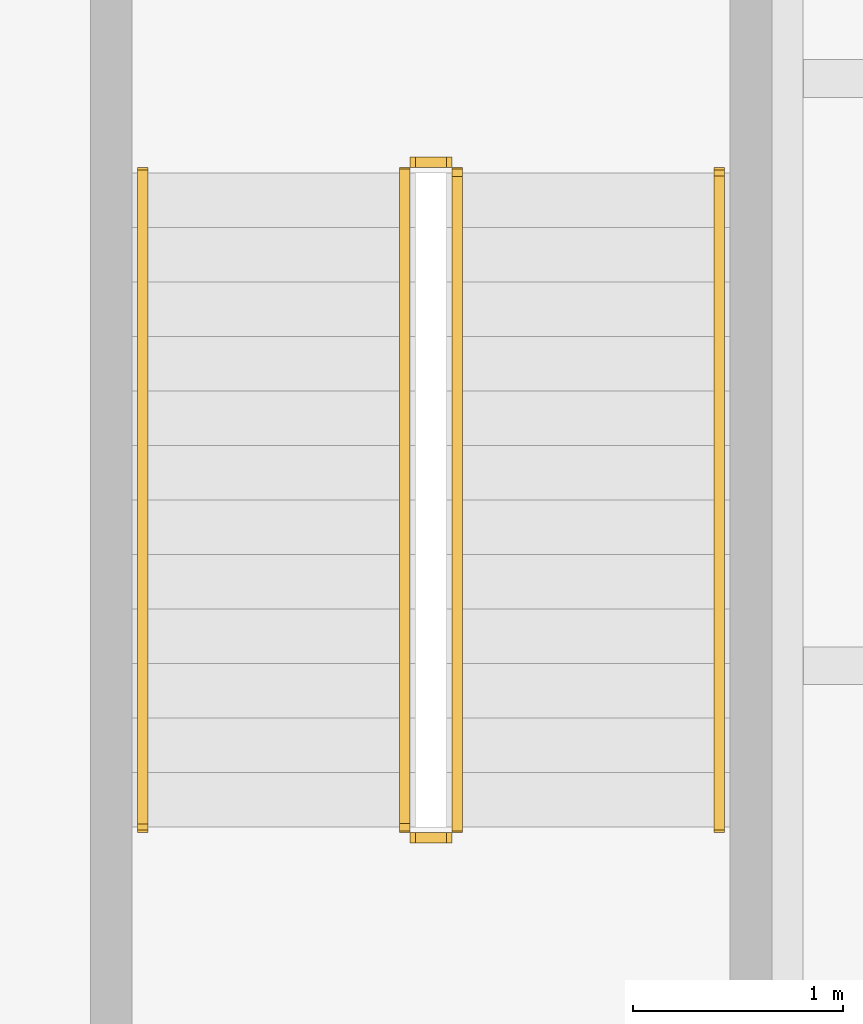
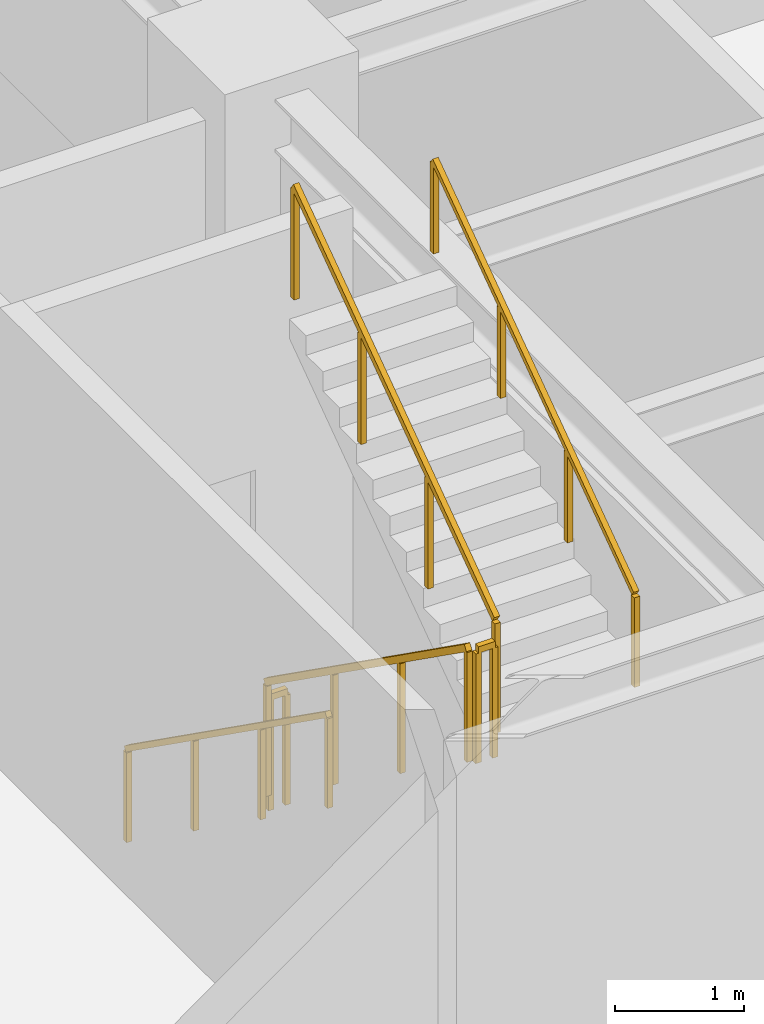
# One storey, part 27 of 32: 6 railings.
"""IFC4 building model written with IfcOpenShell, lengths in metres."""

from ifc_helpers import new_model, si_unit, direction, frame, origin, origin_2d, place, context, subcontext, project, spatial, rectangle, extrude, material, type_object, element, save


model = new_model("IFC4")

# Units and contexts
model_context = context("Model", 3, precision=1e-05, world=origin(), true_north=direction((0.0, 1.0)))
body_context = subcontext(model_context, "Body", "Model", "MODEL_VIEW")
ifc_project = project(units=[si_unit("LENGTHUNIT", "METRE"), si_unit("AREAUNIT", "SQUARE_METRE"), si_unit("VOLUMEUNIT", "CUBIC_METRE"), si_unit("PLANEANGLEUNIT", "RADIAN"), si_unit("MASSUNIT", "GRAM", prefix="KILO")], contexts=[model_context])

# Site, building, storey
site_placement = place(None, origin())
site = spatial("IfcSite", under=ifc_project, at=site_placement, CompositionType="ELEMENT")
building_placement = place(site_placement, origin())
building = spatial("IfcBuilding", under=site, at=building_placement, Name="Khepri Terraces", CompositionType="ELEMENT")
storey_placement = place(building_placement, frame((0.0, 0.0, 12.0)))
storey = spatial("IfcBuildingStorey", under=building, at=storey_placement, Name="L02", CompositionType="ELEMENT", Elevation=12.0)

# Railings
ifc_material = material(Name="Stainless steel 316", Category="steel")
railing_type_1 = type_object("IfcRailingType", Name="RL-POD-GUARD", PredefinedType="GUARDRAIL", material=ifc_material)
railing_1_placement = place(storey_placement, frame((23.449951171875, -20.050048828125, 0.1845703125)))
element("IfcRailing", 1, at=railing_1_placement, inside=storey, type_object=railing_type_1, Name="L02 PS-3 stair guard 1", PredefinedType="GUARDRAIL", context=body_context, shape_type="SweptSolid", body=[
    extrude(rectangle(XDim=0.050048828125, YDim=0.06005859375, at=origin_2d()), frame((0.0, 0.0, 1.070068359375), z_axis=(0.0, -0.815355575968, 0.57896052088), x_axis=(1.0, 0.0, 0.0)), (0.0, 0.0, 1.0), 3.826416015625),
    extrude(rectangle(XDim=0.050048828125, YDim=0.050048828125, at=origin_2d()), origin(), (0.0, 0.0, 1.0), 1.0400390625),
    extrude(rectangle(XDim=0.050048828125, YDim=0.050048828125, at=origin_2d()), frame((0.0, -1.0400390625, 0.738525390625)), (0.0, 0.0, 1.0), 1.0400390625),
    extrude(rectangle(XDim=0.050048828125, YDim=0.050048828125, at=origin_2d()), frame((0.0, -2.079833984375, 1.476806640625)), (0.0, 0.0, 1.0), 1.0400390625),
    extrude(rectangle(XDim=0.050048828125, YDim=0.050048828125, at=origin_2d()), frame((0.0, -3.119873046875, 2.21533203125)), (0.0, 0.0, 1.0), 1.0400390625),
])
railing_2_placement = place(storey_placement, frame((23.5, -23.219970703125, 2.39990234375)))
element("IfcRailing", 2, at=railing_2_placement, inside=storey, type_object=railing_type_1, Name="L02 PS-3 stair guard 2", PredefinedType="GUARDRAIL", context=body_context, shape_type="SweptSolid", body=[
    extrude(rectangle(XDim=0.050048828125, YDim=0.06005859375, at=origin_2d()), frame((0.0, 0.0, 1.070068359375), z_axis=(1.0, 0.0, 0.0), x_axis=(0.0, 1.0, 0.0)), (0.0, 0.0, 1.0), 0.14990234375),
    extrude(rectangle(XDim=0.050048828125, YDim=0.050048828125, at=origin_2d()), origin(), (0.0, 0.0, 1.0), 1.0400390625),
    extrude(rectangle(XDim=0.050048828125, YDim=0.050048828125, at=origin_2d()), frame((0.14990234375, 0.0, 0.0)), (0.0, 0.0, 1.0), 1.0400390625),
])
railing_3_placement = place(storey_placement, frame((23.699951171875, -23.169921875, 2.584716796875)))
element("IfcRailing", 3, at=railing_3_placement, inside=storey, type_object=railing_type_1, Name="L02 PS-3 stair guard 3", PredefinedType="GUARDRAIL", context=body_context, shape_type="SweptSolid", body=[
    extrude(rectangle(XDim=0.050048828125, YDim=0.06005859375, at=origin_2d()), frame((0.0, 0.0, 1.070068359375), z_axis=(0.0, 0.815355575968, 0.57896052088), x_axis=(-1.0, 0.0, 0.0)), (0.0, 0.0, 1.0), 3.826416015625),
    extrude(rectangle(XDim=0.050048828125, YDim=0.050048828125, at=origin_2d()), origin(), (0.0, 0.0, 1.0), 1.0400390625),
    extrude(rectangle(XDim=0.050048828125, YDim=0.050048828125, at=origin_2d()), frame((0.0, 1.0400390625, 0.738525390625)), (0.0, 0.0, 1.0), 1.0400390625),
    extrude(rectangle(XDim=0.050048828125, YDim=0.050048828125, at=origin_2d()), frame((0.0, 2.079833984375, 1.476806640625)), (0.0, 0.0, 1.0), 1.0400390625),
    extrude(rectangle(XDim=0.050048828125, YDim=0.050048828125, at=origin_2d()), frame((0.0, 3.119873046875, 2.21533203125)), (0.0, 0.0, 1.0), 1.0400390625),
])
railing_4_placement = place(storey_placement, frame((23.5, -20.0, 0.0)))
element("IfcRailing", 4, at=railing_4_placement, inside=storey, type_object=railing_type_1, Name="L02 PS-3 stair guard 4", PredefinedType="GUARDRAIL", context=body_context, shape_type="SweptSolid", body=[
    extrude(rectangle(XDim=0.050048828125, YDim=0.06005859375, at=origin_2d()), frame((0.0, 0.0, 1.070068359375), z_axis=(1.0, 0.0, 0.0), x_axis=(0.0, 1.0, 0.0)), (0.0, 0.0, 1.0), 0.14990234375),
    extrude(rectangle(XDim=0.050048828125, YDim=0.050048828125, at=origin_2d()), origin(), (0.0, 0.0, 1.0), 1.0400390625),
    extrude(rectangle(XDim=0.050048828125, YDim=0.050048828125, at=origin_2d()), frame((0.14990234375, 0.0, 0.0)), (0.0, 0.0, 1.0), 1.0400390625),
])
railing_type_2 = type_object("IfcRailingType", Name="RL-POD-HANDRAIL", PredefinedType="HANDRAIL", material=ifc_material)
railing_5_placement = place(storey_placement, frame((22.199951171875, -20.050048828125, 0.1845703125)))
element("IfcRailing", 5, at=railing_5_placement, inside=storey, type_object=railing_type_2, Name="L02 PS-3 stair handrail 1", PredefinedType="HANDRAIL", context=body_context, shape_type="SweptSolid", body=[
    extrude(rectangle(XDim=0.050048828125, YDim=0.050048828125, at=origin_2d()), frame((0.0, 0.0, 0.875), z_axis=(0.0, -0.815355575968, 0.57896052088), x_axis=(1.0, 0.0, 0.0)), (0.0, 0.0, 1.0), 3.826416015625),
    extrude(rectangle(XDim=0.050048828125, YDim=0.050048828125, at=origin_2d()), origin(), (0.0, 0.0, 1.0), 0.849853515625),
    extrude(rectangle(XDim=0.050048828125, YDim=0.050048828125, at=origin_2d()), frame((0.0, -1.0400390625, 0.738525390625)), (0.0, 0.0, 1.0), 0.849853515625),
    extrude(rectangle(XDim=0.050048828125, YDim=0.050048828125, at=origin_2d()), frame((0.0, -2.079833984375, 1.476806640625)), (0.0, 0.0, 1.0), 0.849853515625),
    extrude(rectangle(XDim=0.050048828125, YDim=0.050048828125, at=origin_2d()), frame((0.0, -3.119873046875, 2.21533203125)), (0.0, 0.0, 1.0), 0.849853515625),
])
railing_6_placement = place(storey_placement, frame((24.949951171875, -23.169921875, 2.584716796875)))
element("IfcRailing", 6, at=railing_6_placement, inside=storey, type_object=railing_type_2, Name="L02 PS-3 stair handrail 2", PredefinedType="HANDRAIL", context=body_context, shape_type="SweptSolid", body=[
    extrude(rectangle(XDim=0.050048828125, YDim=0.050048828125, at=origin_2d()), frame((0.0, 0.0, 0.875), z_axis=(0.0, 0.815355575968, 0.57896052088), x_axis=(-1.0, 0.0, 0.0)), (0.0, 0.0, 1.0), 3.826416015625),
    extrude(rectangle(XDim=0.050048828125, YDim=0.050048828125, at=origin_2d()), origin(), (0.0, 0.0, 1.0), 0.849853515625),
    extrude(rectangle(XDim=0.050048828125, YDim=0.050048828125, at=origin_2d()), frame((0.0, 1.0400390625, 0.738525390625)), (0.0, 0.0, 1.0), 0.849853515625),
    extrude(rectangle(XDim=0.050048828125, YDim=0.050048828125, at=origin_2d()), frame((0.0, 2.079833984375, 1.476806640625)), (0.0, 0.0, 1.0), 0.849853515625),
    extrude(rectangle(XDim=0.050048828125, YDim=0.050048828125, at=origin_2d()), frame((0.0, 3.119873046875, 2.21533203125)), (0.0, 0.0, 1.0), 0.849853515625),
])

save(model, "model.ifc")
